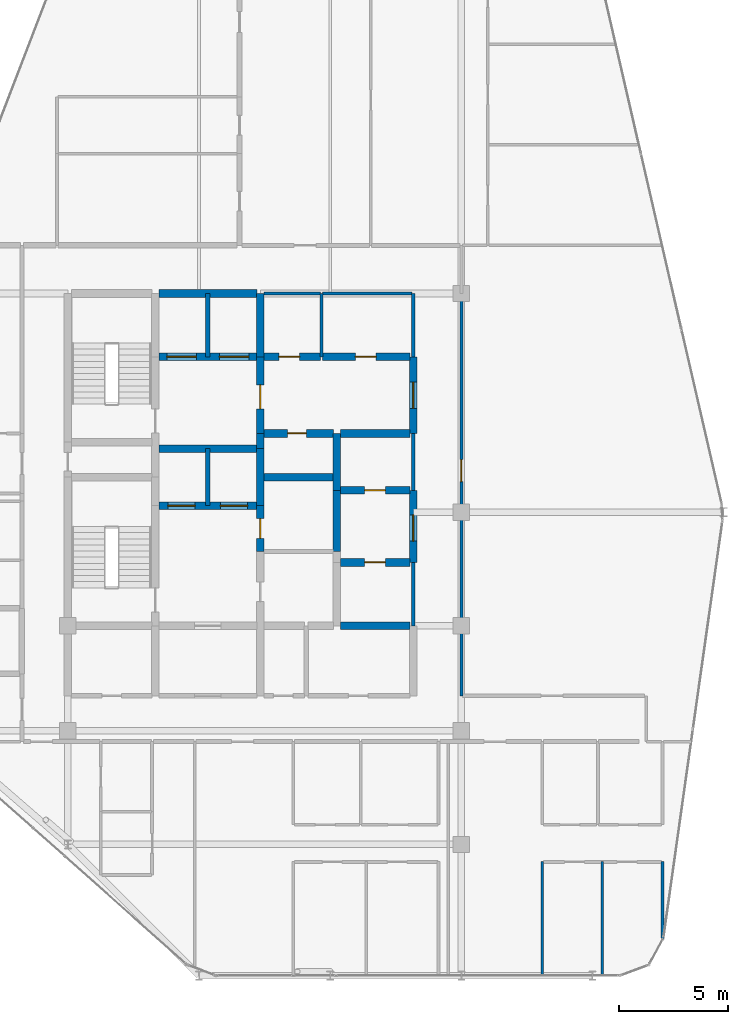
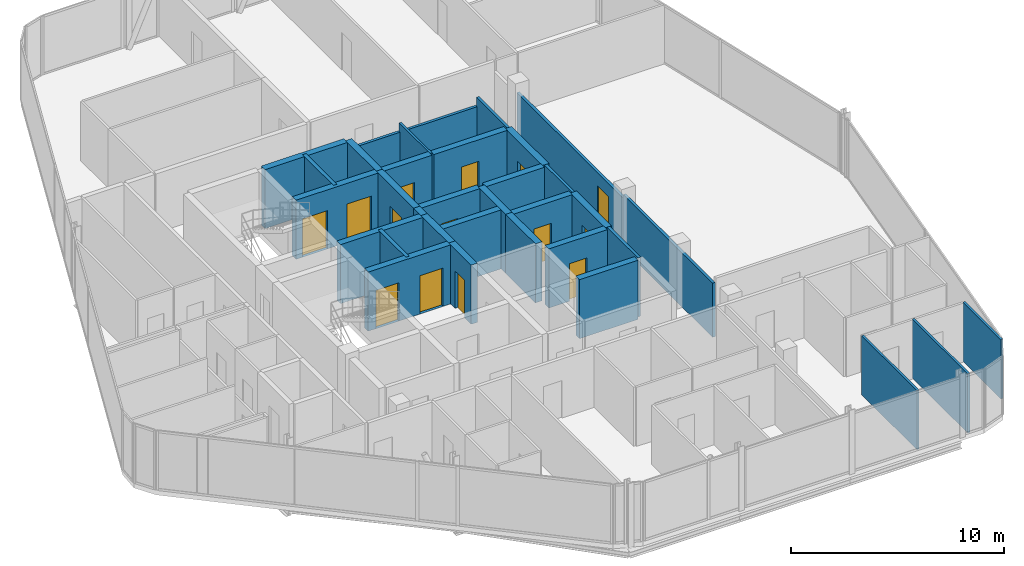
# One storey, part 24 of 27: 34 walls, 14 doors, 14 openings.
"""IFC4 building model written with IfcOpenShell, lengths in metres."""

import ifcopenshell
import ifcopenshell.guid

model = None  # the IFC model being written
_history = None  # IfcOwnerHistory: only IFC2X3 demands one
_inside = {}  # id of a spatial element -> (the spatial element, [elements in it])
_under = {}  # id of a project, library or spatial element -> (it, [spatial elements below it])
_declared = {}  # id of a project -> (the project, [libraries it declares])
_typed = {}  # id of a type object -> (the type object, [elements of that type])
_made_of = {}  # id of a material, layer set ... -> (it, [elements and type objects made of it])


def new_model(schema):
    """Start an empty IFC model of exactly this schema.

    Asked for "IFC4X3", IfcOpenShell would pick the latest addendum, in which some entities
    have other attributes; the version numbers below select the first issue.
    IFC2X3 requires an IfcOwnerHistory on every rooted entity: one is made here for all.
    """
    global model, _history
    if schema == "IFC4X3":
        model = ifcopenshell.file(schema_version=(4, 3, 0, 0))
    else:
        model = ifcopenshell.file(schema=schema)
    _inside.clear()
    _under.clear()
    _declared.clear()
    _typed.clear()
    _made_of.clear()
    _history = None
    if model.schema == "IFC2X3":
        org = make("IfcOrganization", Name="unknown")
        user = make(
            "IfcPersonAndOrganization",
            ThePerson=make("IfcPerson", FamilyName="unknown"),
            TheOrganization=org,
        )
        app = make(
            "IfcApplication",
            ApplicationDeveloper=org,
            Version="unknown",
            ApplicationFullName="unknown",
            ApplicationIdentifier="unknown",
        )
        _history = make(
            "IfcOwnerHistory",
            OwningUser=user,
            OwningApplication=app,
            ChangeAction="ADDED",
            CreationDate=0,
        )
    return model


def make(cls, **values):
    """One entity of the class cls with the attributes given. An attribute that is None is left unset."""
    return model.create_entity(
        cls, **{name: value for name, value in values.items() if value is not None}
    )


def rooted(cls, **values):
    """An entity with a GlobalId (a new one), such as an element, a storey or a relation."""
    return make(cls, GlobalId=ifcopenshell.guid.new(), OwnerHistory=_history, **values)


def si_unit(unit_type, name, prefix=None):
    """IfcSIUnit, for example si_unit("LENGTHUNIT", "METRE", prefix="MILLI")."""
    return make("IfcSIUnit", UnitType=unit_type, Prefix=prefix, Name=name)


def assignment(units):
    """IfcUnitAssignment: the units of a project."""
    return None if units is None else make("IfcUnitAssignment", Units=units)


def point(xyz):
    """IfcCartesianPoint."""
    return None if xyz is None else make("IfcCartesianPoint", Coordinates=xyz)


def direction(xyz):
    """IfcDirection."""
    return None if xyz is None else make("IfcDirection", DirectionRatios=xyz)


def frame(location, z_axis=None, x_axis=None):
    """IfcAxis2Placement3D, a coordinate frame: its origin and axes. An axis left out is left unset."""
    return make(
        "IfcAxis2Placement3D",
        Location=point(location),
        Axis=direction(z_axis),
        RefDirection=direction(x_axis),
    )


def frame_2d(location, x_axis=None):
    """IfcAxis2Placement2D, a coordinate frame in the plane: its origin and x axis."""
    return make(
        "IfcAxis2Placement2D", Location=point(location), RefDirection=direction(x_axis)
    )


def origin():
    """The frame at (0, 0, 0) with its axes left unset."""
    return frame((0.0, 0.0, 0.0))


def place(relative_to, where):
    """IfcLocalPlacement: puts the frame where relative to a parent placement (None: the world)."""
    return make(
        "IfcLocalPlacement", PlacementRelTo=relative_to, RelativePlacement=where
    )


def context(
    kind, dimensions, precision=None, world=None, true_north=None, identifier=None
):
    """IfcGeometricRepresentationContext, for example the 3D "Model" context."""
    return make(
        "IfcGeometricRepresentationContext",
        ContextIdentifier=identifier,
        ContextType=kind,
        CoordinateSpaceDimension=dimensions,
        Precision=precision,
        WorldCoordinateSystem=world,
        TrueNorth=true_north,
    )


def subcontext(parent, identifier, kind, view, scale=None):
    """IfcGeometricRepresentationSubContext, for example "Body" below "Model"."""
    return make(
        "IfcGeometricRepresentationSubContext",
        ContextIdentifier=identifier,
        ContextType=kind,
        ParentContext=parent,
        TargetScale=scale,
        TargetView=view,
    )


def project(units=None, contexts=None):
    """IfcProject with its units and contexts."""
    return rooted(
        "IfcProject",
        Name="project",
        RepresentationContexts=contexts,
        UnitsInContext=assignment(units),
    )


def spatial(cls, under=None, at=None, **own):
    """A site, building, storey or space (cls), placed at a placement, below another one or the project."""
    s = rooted(cls, ObjectPlacement=at, **own)
    if under is not None:
        _under.setdefault(under.id(), (under, []))[1].append(s)
    return s


def profile(cls, at=None, kind="AREA", **sizes):
    """A parametric profile (cls). Its sizes go by their IFC names, for example OverallWidth=200.0."""
    return make(cls, ProfileType=kind, Position=at, **sizes)


def rectangle(**sizes):
    """IfcRectangleProfileDef."""
    return profile("IfcRectangleProfileDef", **sizes)


def extrude(swept, where, along, depth):
    """IfcExtrudedAreaSolid: the profile swept, set in the frame where, extruded along a direction by depth."""
    return make(
        "IfcExtrudedAreaSolid",
        SweptArea=swept,
        Position=where,
        ExtrudedDirection=direction(along),
        Depth=depth,
    )


def shape(context_of_items, identifier, shape_type, items):
    """IfcShapeRepresentation: the items that make up one representation, for example the "Body"."""
    return make(
        "IfcShapeRepresentation",
        ContextOfItems=context_of_items,
        RepresentationIdentifier=identifier,
        RepresentationType=shape_type,
        Items=items,
    )


def material(Name=None, Category=None):
    """IfcMaterial."""
    return make("IfcMaterial", Name=Name, Category=Category)


def layer(
    of_material, thickness, ventilated=None, Name=None, Category=None, Priority=None
):
    """IfcMaterialLayer: one layer of a wall or slab, of a material (None: an air gap)."""
    return make(
        "IfcMaterialLayer",
        Material=of_material,
        LayerThickness=thickness,
        IsVentilated=ventilated,
        Name=Name,
        Category=Category,
        Priority=Priority,
    )


def layer_set(layers, Name=None):
    """IfcMaterialLayerSet."""
    return make("IfcMaterialLayerSet", MaterialLayers=layers, LayerSetName=Name)


def made_of(thing, what):
    """Note that an element or type object is made of a material, layer set ...; save() writes the relation."""
    if what is not None:
        _made_of.setdefault(what.id(), (what, []))[1].append(thing)
    return thing


def type_object(cls, material=None, **own):
    """A type object (cls), such as IfcWallType, which elements share."""
    return made_of(rooted(cls, **own), material)


def element(
    cls,
    number,
    at=None,
    inside=None,
    cuts=None,
    type_object=None,
    material=None,
    context=None,
    identifier="Body",
    shape_type=None,
    held_by="IfcProductDefinitionShape",
    body=None,
    shapes=None,
    **own,
):
    """One element of the class cls, such as IfcWall. Its Tag is "e" and its number.

    at: its placement. inside: the storey or other place that contains it. cuts: it is an
    opening in that element (IfcRelVoidsElement). A single representation is given by context,
    identifier, shape_type and body (its items); several are given by shapes. held_by: the class
    of the entity that holds the representations. save() writes the other relations.
    """
    e = rooted(cls, Tag="e%d" % number, ObjectPlacement=at, **own)
    if body is not None:
        shapes = [shape(context, identifier, shape_type, body)]
    if shapes is not None:
        e.Representation = make(held_by, Representations=shapes)
    if inside is not None:
        _inside.setdefault(inside.id(), (inside, []))[1].append(e)
    if cuts is not None:
        rooted(
            "IfcRelVoidsElement", RelatingBuildingElement=cuts, RelatedOpeningElement=e
        )
    if type_object is not None:
        _typed.setdefault(type_object.id(), (type_object, []))[1].append(e)
    return made_of(e, material)


def fill(opening, filler):
    """IfcRelFillsElement: the door or window that sits in an opening."""
    return rooted(
        "IfcRelFillsElement",
        RelatingOpeningElement=opening,
        RelatedBuildingElement=filler,
    )


def aggregate(whole, parts):
    """IfcRelAggregates: a whole, such as a stair, and the parts it consists of."""
    return rooted("IfcRelAggregates", RelatingObject=whole, RelatedObjects=parts)


def save(model, path):
    """Write the relations noted so far, then the file.

    IfcRelAggregates (storeys below a building ...), IfcRelContainedInSpatialStructure (elements
    in a storey), IfcRelDefinesByType, IfcRelAssociatesMaterial and IfcRelDeclares: one each for
    every whole, place, type object, material and project.
    """
    for whole, parts in _under.values():
        aggregate(whole, parts)
    for where, things in _inside.values():
        rooted(
            "IfcRelContainedInSpatialStructure",
            RelatedElements=things,
            RelatingStructure=where,
        )
    for kind, things in _typed.values():
        rooted("IfcRelDefinesByType", RelatedObjects=things, RelatingType=kind)
    for what, things in _made_of.values():
        rooted("IfcRelAssociatesMaterial", RelatedObjects=things, RelatingMaterial=what)
    for by, libraries in _declared.values():
        rooted("IfcRelDeclares", RelatingContext=by, RelatedDefinitions=libraries)
    model.write(path)


model = new_model("IFC4")

# Units and contexts
model_context = context("Model", 3, precision=1e-05, world=origin(), true_north=direction((0.0, 1.0)))
body_context = subcontext(model_context, "Body", "Model", "MODEL_VIEW")
ifc_project = project(units=[si_unit("LENGTHUNIT", "METRE"), si_unit("AREAUNIT", "SQUARE_METRE"), si_unit("VOLUMEUNIT", "CUBIC_METRE"), si_unit("PLANEANGLEUNIT", "RADIAN"), si_unit("MASSUNIT", "GRAM", prefix="KILO")], contexts=[model_context])

# Site, building, storey
site_placement = place(None, origin())
site = spatial("IfcSite", under=ifc_project, at=site_placement, CompositionType="ELEMENT")
building_placement = place(site_placement, origin())
building = spatial("IfcBuilding", under=site, at=building_placement, Name="Keshet Zoharim Tower", CompositionType="ELEMENT")
storey_placement = place(building_placement, frame((0.0, 0.0, 254.699951171875)))
storey = spatial("IfcBuildingStorey", under=building, at=storey_placement, Name="L63", CompositionType="ELEMENT", Elevation=254.699951171875)

# Walls
ifc_material_1 = material(Name="Gypsum Plasterboard", Category="gypsum")
ifc_layer_1 = layer(ifc_material_1, 0.14990234375)
ifc_layer_set_1 = layer_set([ifc_layer_1], Name="Gypsum Plasterboard")
wall_type_1 = type_object("IfcWallType", Name="WL-CLIN-150", PredefinedType="STANDARD", material=ifc_layer_set_1)
wall_1_placement = place(storey_placement, frame((30.800048828125, 22.699951171875, 0.0), z_axis=(0.0, 0.0, 1.0), x_axis=(0.0, 1.0, 0.0)))
element("IfcWall", 1, at=wall_1_placement, inside=storey, type_object=wall_type_1, Name="L63 Interior Wall 055", PredefinedType="STANDARD", context=body_context, shape_type="SweptSolid", body=[
    extrude(rectangle(XDim=2.900146484375, YDim=0.14990234375, at=frame_2d((1.4501953125, 0.0))), origin(), (0.0, 0.0, 1.0), 3.39013671875),
])
wall_2_placement = place(storey_placement, frame((30.800048828125, 28.89990234375, 0.0), z_axis=(0.0, 0.0, 1.0), x_axis=(0.0, 1.0, 0.0)))
element("IfcWall", 2, at=wall_2_placement, inside=storey, type_object=wall_type_1, Name="L63 Interior Wall 057", PredefinedType="STANDARD", context=body_context, shape_type="SweptSolid", body=[
    extrude(rectangle(XDim=2.60009765625, YDim=0.14990234375, at=frame_2d((1.300048828125, 0.0))), origin(), (0.0, 0.0, 1.0), 3.39013671875),
])
wall_3_placement = place(storey_placement, frame((30.800048828125, 35.0, 0.0), z_axis=(0.0, 0.0, 1.0), x_axis=(0.0, 1.0, 0.0)))
element("IfcWall", 3, at=wall_3_placement, inside=storey, type_object=wall_type_1, Name="L63 Interior Wall 059", PredefinedType="STANDARD", context=body_context, shape_type="SweptSolid", body=[
    extrude(rectangle(XDim=2.89990234375, YDim=0.14990234375, at=frame_2d((1.449951171875, 0.0))), origin(), (0.0, 0.0, 1.0), 3.39013671875),
])
wall_4_placement = place(storey_placement, frame((33.0, 19.5, 0.0), z_axis=(0.0, 0.0, 1.0), x_axis=(0.0, 1.0, 0.0)))
element("IfcWall", 4, at=wall_4_placement, inside=storey, type_object=wall_type_1, Name="L63 Interior Wall 063", PredefinedType="STANDARD", context=body_context, shape_type="SweptSolid", body=[
    extrude(rectangle(XDim=8.39990234375, YDim=0.14990234375, at=frame_2d((4.199951171875, 0.0))), origin(), (0.0, 0.0, 1.0), 3.10009765625),
])
wall_5_placement = place(storey_placement, frame((23.9599609375, 37.89990234375, 0.0), z_axis=(0.0, 0.0, 1.0), x_axis=(1.0, 0.0, 0.0)))
element("IfcWall", 5, at=wall_5_placement, inside=storey, type_object=wall_type_1, Name="L63 Interior Wall 130", PredefinedType="STANDARD", context=body_context, shape_type="SweptSolid", body=[
    extrude(rectangle(XDim=2.594970703125, YDim=0.14990234375, at=frame_2d((1.29736328125, 0.0))), origin(), (0.0, 0.0, 1.0), 2.89013671875),
])
wall_6_placement = place(storey_placement, frame((26.64501953125, 37.89990234375, 0.0), z_axis=(0.0, 0.0, 1.0), x_axis=(1.0, 0.0, 0.0)))
element("IfcWall", 6, at=wall_6_placement, inside=storey, type_object=wall_type_1, Name="L63 Interior Wall 131", PredefinedType="STANDARD", context=body_context, shape_type="SweptSolid", body=[
    extrude(rectangle(XDim=4.094970703125, YDim=0.14990234375, at=frame_2d((2.04736328125, 0.0))), origin(), (0.0, 0.0, 1.0), 2.89013671875),
])

# Wall, opening, door
wall_7_placement = place(storey_placement, frame((33.0, 27.89990234375, 0.0), z_axis=(0.0, 0.0, 1.0), x_axis=(0.0, 1.0, 0.0)))
wall_7 = element("IfcWall", 7, at=wall_7_placement, inside=storey, type_object=wall_type_1, Name="L63 Interior Wall 063 Part 2", PredefinedType="STANDARD", context=body_context, shape_type="SweptSolid", body=[
    extrude(rectangle(XDim=10.0, YDim=0.14990234375, at=frame_2d((5.0, 0.0))), origin(), (0.0, 0.0, 1.0), 2.89013671875),
])
opening_1_placement = place(wall_7_placement, frame((1.39990234375, 0.0, 0.0)))
opening_1 = element("IfcOpeningElement", 8, at=opening_1_placement, cuts=wall_7, Name="Opening D-F310", PredefinedType="OPENING", context=body_context, shape_type="SweptSolid", body=[
    extrude(rectangle(XDim=1.0, YDim=2.14990234375, at=frame_2d((0.5, 1.074951171875))), frame((0.0, 0.0849609375, 0.0), z_axis=(0.0, -1.0, 0.0), x_axis=(1.0, 0.0, 0.0)), (0.0, 0.0, 1.0), 0.169921875),
])
ifc_material_2 = material(Name="Hardwood Timber", Category="wood")
door_type_1 = type_object("IfcDoorType", Name="DR-FD30-100", OperationType="NOTDEFINED", PredefinedType="DOOR", material=ifc_material_2)
door_1_placement = place(opening_1_placement, origin())
door_1 = element("IfcDoor", 9, at=door_1_placement, inside=storey, type_object=door_type_1, Name="L63 North West Residents Services Suite Door 1", OperationType="SINGLE_SWING_LEFT", OverallHeight=2.14990234375, OverallWidth=1.0, PredefinedType="DOOR", context=body_context, shape_type="SweptSolid", body=[
    extrude(rectangle(XDim=1.0, YDim=2.14990234375, at=frame_2d((0.5, 1.074951171875))), frame((0.0, 0.02490234375, 0.0), z_axis=(0.0, -1.0, 0.0), x_axis=(1.0, 0.0, 0.0)), (0.0, 0.0, 1.0), 0.050048828125),
])
fill(opening_1, door_1)

ifc_material_3 = material(Name="Concrete C60/75", Category="concrete")
ifc_layer_2 = layer(ifc_material_3, 0.35009765625)
ifc_layer_set_2 = layer_set([ifc_layer_2], Name="Concrete C60/75")
wall_type_2 = type_object("IfcWallType", Name="WL-CORE-350", PredefinedType="SHEAR", material=ifc_layer_set_2)
wall_8_placement = place(storey_placement, frame((23.800048828125, 26.10009765625, 0.0), z_axis=(0.0, 0.0, 1.0), x_axis=(0.0, 1.0, 0.0)))
wall_8 = element("IfcWall", 10, at=wall_8_placement, inside=storey, type_object=wall_type_2, Name="L63 Core Shear Wall 038", PredefinedType="SHEAR", context=body_context, shape_type="SweptSolid", body=[
    extrude(rectangle(XDim=2.099853515625, YDim=0.35009765625, at=frame_2d((1.0498046875, 0.0))), origin(), (0.0, 0.0, 1.0), 3.39013671875),
])
opening_2_placement = place(wall_8_placement, frame((0.60009765625, 0.0, 0.0)))
opening_2 = element("IfcOpeningElement", 11, at=opening_2_placement, cuts=wall_8, Name="Opening D-F690", PredefinedType="OPENING", context=body_context, shape_type="SweptSolid", body=[
    extrude(rectangle(XDim=0.89990234375, YDim=2.14990234375, at=frame_2d((0.449951171875, 1.074951171875))), frame((0.0, 0.18505859375, 0.0), z_axis=(0.0, -1.0, 0.0), x_axis=(1.0, 0.0, 0.0)), (0.0, 0.0, 1.0), 0.3701171875),
])
door_type_2 = type_object("IfcDoorType", Name="DR-FD60-090", OperationType="NOTDEFINED", PredefinedType="DOOR", material=ifc_material_2)
door_2_placement = place(opening_2_placement, origin())
door_2 = element("IfcDoor", 12, at=door_2_placement, inside=storey, type_object=door_type_2, Name="L63 Core Electrical Room Door", OperationType="SINGLE_SWING_RIGHT", OverallHeight=2.14990234375, OverallWidth=0.89990234375, PredefinedType="DOOR", context=body_context, shape_type="SweptSolid", body=[
    extrude(rectangle(XDim=0.89990234375, YDim=2.14990234375, at=frame_2d((0.449951171875, 1.074951171875))), frame((0.0, 0.02490234375, 0.0), z_axis=(0.0, -1.0, 0.0), x_axis=(1.0, 0.0, 0.0)), (0.0, 0.0, 1.0), 0.050048828125),
])
fill(opening_2, door_2)

# Walls
wall_9_placement = place(storey_placement, frame((23.800048828125, 28.199951171875, 0.0), z_axis=(0.0, 0.0, 1.0), x_axis=(0.0, 1.0, 0.0)))
element("IfcWall", 13, at=wall_9_placement, inside=storey, type_object=wall_type_2, Name="L63 Core Shear Wall 039", PredefinedType="SHEAR", context=body_context, shape_type="SweptSolid", body=[
    extrude(rectangle(XDim=2.60009765625, YDim=0.35009765625, at=frame_2d((1.300048828125, 0.0))), origin(), (0.0, 0.0, 1.0), 3.39013671875),
])
wall_10_placement = place(storey_placement, frame((23.800048828125, 30.800048828125, 0.0), z_axis=(0.0, 0.0, 1.0), x_axis=(0.0, 1.0, 0.0)))
element("IfcWall", 14, at=wall_10_placement, inside=storey, type_object=wall_type_2, Name="L63 Core Shear Wall 040", PredefinedType="SHEAR", context=body_context, shape_type="SweptSolid", body=[
    extrude(rectangle(XDim=0.699951171875, YDim=0.35009765625, at=frame_2d((0.35009765625, 0.0))), origin(), (0.0, 0.0, 1.0), 3.39013671875),
])

# Wall, opening, door
wall_11_placement = place(storey_placement, frame((23.800048828125, 31.5, 0.0), z_axis=(0.0, 0.0, 1.0), x_axis=(0.0, 1.0, 0.0)))
wall_11 = element("IfcWall", 15, at=wall_11_placement, inside=storey, type_object=wall_type_2, Name="L63 Core Shear Wall 041", PredefinedType="SHEAR", context=body_context, shape_type="SweptSolid", body=[
    extrude(rectangle(XDim=3.5, YDim=0.35009765625, at=frame_2d((1.75, 0.0))), origin(), (0.0, 0.0, 1.0), 3.39013671875),
])
opening_3_placement = place(wall_11_placement, frame((1.126953125, 0.0, 0.0)))
opening_3 = element("IfcOpeningElement", 16, at=opening_3_placement, cuts=wall_11, Name="Opening D-F611", PredefinedType="OPENING", context=body_context, shape_type="SweptSolid", body=[
    extrude(rectangle(XDim=1.10009765625, YDim=2.14990234375, at=frame_2d((0.550048828125, 1.074951171875))), frame((0.0, 0.18505859375, 0.0), z_axis=(0.0, -1.0, 0.0), x_axis=(1.0, 0.0, 0.0)), (0.0, 0.0, 1.0), 0.3701171875),
])
door_type_3 = type_object("IfcDoorType", Name="DR-FD60-110", OperationType="NOTDEFINED", PredefinedType="DOOR", material=ifc_material_2)
door_3_placement = place(opening_3_placement, origin())
door_3 = element("IfcDoor", 17, at=door_3_placement, inside=storey, type_object=door_type_3, Name="L63 Firefighting Lobby Fire Door", OperationType="SINGLE_SWING_LEFT", OverallHeight=2.14990234375, OverallWidth=1.10009765625, PredefinedType="DOOR", context=body_context, shape_type="SweptSolid", body=[
    extrude(rectangle(XDim=1.10009765625, YDim=2.14990234375, at=frame_2d((0.550048828125, 1.074951171875))), frame((0.0, 0.02490234375, 0.0), z_axis=(0.0, -1.0, 0.0), x_axis=(1.0, 0.0, 0.0)), (0.0, 0.0, 1.0), 0.050048828125),
])
fill(opening_3, door_3)

# Walls
wall_12_placement = place(storey_placement, frame((23.800048828125, 35.0, 0.0), z_axis=(0.0, 0.0, 1.0), x_axis=(0.0, 1.0, 0.0)))
element("IfcWall", 18, at=wall_12_placement, inside=storey, type_object=wall_type_2, Name="L63 Core Shear Wall 042", PredefinedType="SHEAR", context=body_context, shape_type="SweptSolid", body=[
    extrude(rectangle(XDim=2.89990234375, YDim=0.35009765625, at=frame_2d((1.449951171875, 0.0))), origin(), (0.0, 0.0, 1.0), 3.39013671875),
])
wall_13_placement = place(storey_placement, frame((27.300048828125, 26.10009765625, 0.0), z_axis=(0.0, 0.0, 1.0), x_axis=(0.0, 1.0, 0.0)))
element("IfcWall", 19, at=wall_13_placement, inside=storey, type_object=wall_type_2, Name="L63 Core Shear Wall 049", PredefinedType="SHEAR", context=body_context, shape_type="SweptSolid", body=[
    extrude(rectangle(XDim=2.7998046875, YDim=0.35009765625, at=frame_2d((1.39990234375, 0.0))), origin(), (0.0, 0.0, 1.0), 3.39013671875),
])
wall_14_placement = place(storey_placement, frame((27.300048828125, 28.89990234375, 0.0), z_axis=(0.0, 0.0, 1.0), x_axis=(0.0, 1.0, 0.0)))
element("IfcWall", 20, at=wall_14_placement, inside=storey, type_object=wall_type_2, Name="L63 Core Shear Wall 050", PredefinedType="SHEAR", context=body_context, shape_type="SweptSolid", body=[
    extrude(rectangle(XDim=2.60009765625, YDim=0.35009765625, at=frame_2d((1.300048828125, 0.0))), origin(), (0.0, 0.0, 1.0), 3.39013671875),
])

# Wall, opening, door
wall_15_placement = place(storey_placement, frame((30.800048828125, 25.60009765625, 0.0), z_axis=(0.0, 0.0, 1.0), x_axis=(0.0, 1.0, 0.0)))
wall_15 = element("IfcWall", 21, at=wall_15_placement, inside=storey, type_object=wall_type_2, Name="L63 Core Shear Wall 056", PredefinedType="SHEAR", context=body_context, shape_type="SweptSolid", body=[
    extrude(rectangle(XDim=3.2998046875, YDim=0.35009765625, at=frame_2d((1.64990234375, 0.0))), origin(), (0.0, 0.0, 1.0), 3.39013671875),
])
opening_4_placement = place(wall_15_placement, frame((0.97802734375, 0.0, 0.0)))
opening_4 = element("IfcOpeningElement", 22, at=opening_4_placement, cuts=wall_15, Name="Opening D-F612", PredefinedType="OPENING", context=body_context, shape_type="SweptSolid", body=[
    extrude(rectangle(XDim=1.199951171875, YDim=2.199951171875, at=frame_2d((0.60009765625, 1.10009765625))), frame((0.0, 0.18505859375, 0.0), z_axis=(0.0, -1.0, 0.0), x_axis=(1.0, 0.0, 0.0)), (0.0, 0.0, 1.0), 0.3701171875),
])
door_type_4 = type_object("IfcDoorType", Name="DR-FD60-120", OperationType="NOTDEFINED", PredefinedType="DOOR", material=ifc_material_2)
door_4_placement = place(opening_4_placement, origin())
door_4 = element("IfcDoor", 23, at=door_4_placement, inside=storey, type_object=door_type_4, Name="L63 East Lift Lobby Fire Door", OperationType="SINGLE_SWING_LEFT", OverallHeight=2.199951171875, OverallWidth=1.199951171875, PredefinedType="DOOR", context=body_context, shape_type="SweptSolid", body=[
    extrude(rectangle(XDim=1.199951171875, YDim=2.199951171875, at=frame_2d((0.60009765625, 1.10009765625))), frame((0.0, 0.02490234375, 0.0), z_axis=(0.0, -1.0, 0.0), x_axis=(1.0, 0.0, 0.0)), (0.0, 0.0, 1.0), 0.050048828125),
])
fill(opening_4, door_4)

wall_16_placement = place(storey_placement, frame((30.800048828125, 31.5, 0.0), z_axis=(0.0, 0.0, 1.0), x_axis=(0.0, 1.0, 0.0)))
wall_16 = element("IfcWall", 24, at=wall_16_placement, inside=storey, type_object=wall_type_2, Name="L63 Core Shear Wall 058", PredefinedType="SHEAR", context=body_context, shape_type="SweptSolid", body=[
    extrude(rectangle(XDim=3.5, YDim=0.35009765625, at=frame_2d((1.75, 0.0))), origin(), (0.0, 0.0, 1.0), 3.39013671875),
])
opening_5_placement = place(wall_16_placement, frame((1.14990234375, 0.0, 0.0)))
opening_5 = element("IfcOpeningElement", 25, at=opening_5_placement, cuts=wall_16, Name="Opening D-F612", PredefinedType="OPENING", context=body_context, shape_type="SweptSolid", body=[
    extrude(rectangle(XDim=1.199951171875, YDim=2.199951171875, at=frame_2d((0.60009765625, 1.10009765625))), frame((0.0, 0.18505859375, 0.0), z_axis=(0.0, -1.0, 0.0), x_axis=(1.0, 0.0, 0.0)), (0.0, 0.0, 1.0), 0.3701171875),
])
door_5_placement = place(opening_5_placement, origin())
door_5 = element("IfcDoor", 26, at=door_5_placement, inside=storey, type_object=door_type_4, Name="L63 North Lift Lobby East Fire Door", OperationType="SINGLE_SWING_RIGHT", OverallHeight=2.199951171875, OverallWidth=1.199951171875, PredefinedType="DOOR", context=body_context, shape_type="SweptSolid", body=[
    extrude(rectangle(XDim=1.199951171875, YDim=2.199951171875, at=frame_2d((0.60009765625, 1.10009765625))), frame((0.0, 0.02490234375, 0.0), z_axis=(0.0, -1.0, 0.0), x_axis=(1.0, 0.0, 0.0)), (0.0, 0.0, 1.0), 0.050048828125),
])
fill(opening_5, door_5)

# Wall
wall_17_placement = place(storey_placement, frame((27.4599609375, 22.699951171875, 0.0), z_axis=(0.0, 0.0, 1.0), x_axis=(1.0, 0.0, 0.0)))
element("IfcWall", 27, at=wall_17_placement, inside=storey, type_object=wall_type_2, Name="L63 Core Shear Wall 104", PredefinedType="SHEAR", context=body_context, shape_type="SweptSolid", body=[
    extrude(rectangle(XDim=3.179931640625, YDim=0.35009765625, at=frame_2d((1.58984375, 0.0))), origin(), (0.0, 0.0, 1.0), 3.39013671875),
])

# Wall, opening, door
wall_18_placement = place(storey_placement, frame((27.4599609375, 25.60009765625, 0.0), z_axis=(0.0, 0.0, 1.0), x_axis=(1.0, 0.0, 0.0)))
wall_18 = element("IfcWall", 28, at=wall_18_placement, inside=storey, type_object=wall_type_2, Name="L63 Core Shear Wall 107", PredefinedType="SHEAR", context=body_context, shape_type="SweptSolid", body=[
    extrude(rectangle(XDim=3.179931640625, YDim=0.35009765625, at=frame_2d((1.58984375, 0.0))), origin(), (0.0, 0.0, 1.0), 3.39013671875),
])
opening_6_placement = place(wall_18_placement, frame((1.114990234375, 0.0, 0.0)))
opening_6 = element("IfcOpeningElement", 29, at=opening_6_placement, cuts=wall_18, Name="Opening D-F695", PredefinedType="OPENING", context=body_context, shape_type="SweptSolid", body=[
    extrude(rectangle(XDim=0.949951171875, YDim=2.14990234375, at=frame_2d((0.47509765625, 1.074951171875))), frame((0.0, 0.18505859375, 0.0), z_axis=(0.0, -1.0, 0.0), x_axis=(1.0, 0.0, 0.0)), (0.0, 0.0, 1.0), 0.3701171875),
])
door_type_5 = type_object("IfcDoorType", Name="DR-FD60-095", OperationType="NOTDEFINED", PredefinedType="DOOR", material=ifc_material_2)
door_6_placement = place(opening_6_placement, origin())
door_6 = element("IfcDoor", 30, at=door_6_placement, inside=storey, type_object=door_type_5, Name="L63 Study Alcove Door", OperationType="SINGLE_SWING_RIGHT", OverallHeight=2.14990234375, OverallWidth=0.949951171875, PredefinedType="DOOR", context=body_context, shape_type="SweptSolid", body=[
    extrude(rectangle(XDim=0.949951171875, YDim=2.14990234375, at=frame_2d((0.47509765625, 1.074951171875))), frame((0.0, 0.02490234375, 0.0), z_axis=(0.0, -1.0, 0.0), x_axis=(1.0, 0.0, 0.0)), (0.0, 0.0, 1.0), 0.050048828125),
])
fill(opening_6, door_6)

# Wall, openings, doors
wall_19_placement = place(storey_placement, frame((19.159912109375, 28.199951171875, 0.0), z_axis=(0.0, 0.0, 1.0), x_axis=(1.0, 0.0, 0.0)))
wall_19 = element("IfcWall", 31, at=wall_19_placement, inside=storey, type_object=wall_type_2, Name="L63 Core Shear Wall 111", PredefinedType="SHEAR", context=body_context, shape_type="SweptSolid", body=[
    extrude(rectangle(XDim=4.47998046875, YDim=0.35009765625, at=frame_2d((2.239990234375, 0.0))), origin(), (0.0, 0.0, 1.0), 3.39013671875),
])
opening_7_placement = place(wall_19_placement, frame((0.4150390625, 0.0, 0.0)))
opening_7 = element("IfcOpeningElement", 32, at=opening_7_placement, cuts=wall_19, Name="Opening LD-01", PredefinedType="OPENING", context=body_context, shape_type="SweptSolid", body=[
    extrude(rectangle(XDim=1.25, YDim=2.199951171875, at=frame_2d((0.625, 1.10009765625))), frame((0.0, 0.18505859375, 0.0), z_axis=(0.0, -1.0, 0.0), x_axis=(1.0, 0.0, 0.0)), (0.0, 0.0, 1.0), 0.3701171875),
])
opening_8_placement = place(wall_19_placement, frame((2.81494140625, 0.0, 0.0)))
opening_8 = element("IfcOpeningElement", 33, at=opening_8_placement, cuts=wall_19, Name="Opening LD-01", PredefinedType="OPENING", context=body_context, shape_type="SweptSolid", body=[
    extrude(rectangle(XDim=1.25, YDim=2.199951171875, at=frame_2d((0.625, 1.10009765625))), frame((0.0, 0.18505859375, 0.0), z_axis=(0.0, -1.0, 0.0), x_axis=(1.0, 0.0, 0.0)), (0.0, 0.0, 1.0), 0.3701171875),
])
ifc_material_4 = material(Name="Steel S355", Category="steel")
door_type_6 = type_object("IfcDoorType", Name="DR-LD01-125", OperationType="DOUBLE_DOOR_SLIDING", PredefinedType="DOOR", material=ifc_material_4)
door_7_placement = place(opening_7_placement, origin())
door_7 = element("IfcDoor", 34, at=door_7_placement, inside=storey, type_object=door_type_6, Name="L63 Passenger Lift Landing Door LF-09", OperationType="DOUBLE_DOOR_SLIDING", OverallHeight=2.199951171875, OverallWidth=1.25, PredefinedType="DOOR", context=body_context, shape_type="SweptSolid", body=[
    extrude(rectangle(XDim=1.25, YDim=2.199951171875, at=frame_2d((0.625, 1.10009765625))), frame((0.0, 0.02490234375, 0.0), z_axis=(0.0, -1.0, 0.0), x_axis=(1.0, 0.0, 0.0)), (0.0, 0.0, 1.0), 0.050048828125),
])
fill(opening_7, door_7)
door_8_placement = place(opening_8_placement, origin())
door_8 = element("IfcDoor", 35, at=door_8_placement, inside=storey, type_object=door_type_6, Name="L63 Passenger Lift Landing Door LF-10", OperationType="DOUBLE_DOOR_SLIDING", OverallHeight=2.199951171875, OverallWidth=1.25, PredefinedType="DOOR", context=body_context, shape_type="SweptSolid", body=[
    extrude(rectangle(XDim=1.25, YDim=2.199951171875, at=frame_2d((0.625, 1.10009765625))), frame((0.0, 0.02490234375, 0.0), z_axis=(0.0, -1.0, 0.0), x_axis=(1.0, 0.0, 0.0)), (0.0, 0.0, 1.0), 0.050048828125),
])
fill(opening_8, door_8)

# Wall, opening, door
wall_20_placement = place(storey_placement, frame((27.4599609375, 28.89990234375, 0.0), z_axis=(0.0, 0.0, 1.0), x_axis=(1.0, 0.0, 0.0)))
wall_20 = element("IfcWall", 36, at=wall_20_placement, inside=storey, type_object=wall_type_2, Name="L63 Core Shear Wall 116", PredefinedType="SHEAR", context=body_context, shape_type="SweptSolid", body=[
    extrude(rectangle(XDim=3.179931640625, YDim=0.35009765625, at=frame_2d((1.58984375, 0.0))), origin(), (0.0, 0.0, 1.0), 3.39013671875),
])
opening_9_placement = place(wall_20_placement, frame((1.114990234375, 0.0, 0.0)))
opening_9 = element("IfcOpeningElement", 37, at=opening_9_placement, cuts=wall_20, Name="Opening D-F695", PredefinedType="OPENING", context=body_context, shape_type="SweptSolid", body=[
    extrude(rectangle(XDim=0.949951171875, YDim=2.14990234375, at=frame_2d((0.47509765625, 1.074951171875))), frame((0.0, 0.18505859375, 0.0), z_axis=(0.0, -1.0, 0.0), x_axis=(1.0, 0.0, 0.0)), (0.0, 0.0, 1.0), 0.3701171875),
])
door_9_placement = place(opening_9_placement, frame((0.949951171875, 0.0, 0.0), z_axis=(0.0, 0.0, 1.0), x_axis=(-1.0, 0.0, 0.0)))
door_9 = element("IfcDoor", 38, at=door_9_placement, inside=storey, type_object=door_type_5, Name="L63 Parcel Store Door", OperationType="SINGLE_SWING_LEFT", OverallHeight=2.14990234375, OverallWidth=0.949951171875, PredefinedType="DOOR", context=body_context, shape_type="SweptSolid", body=[
    extrude(rectangle(XDim=0.949951171875, YDim=2.14990234375, at=frame_2d((0.47509765625, 1.074951171875))), frame((0.0, 0.02490234375, 0.0), z_axis=(0.0, -1.0, 0.0), x_axis=(1.0, 0.0, 0.0)), (0.0, 0.0, 1.0), 0.050048828125),
])
fill(opening_9, door_9)

# Walls
wall_21_placement = place(storey_placement, frame((23.9599609375, 29.5, 0.0), z_axis=(0.0, 0.0, 1.0), x_axis=(1.0, 0.0, 0.0)))
element("IfcWall", 39, at=wall_21_placement, inside=storey, type_object=wall_type_2, Name="L63 Core Shear Wall 118", PredefinedType="SHEAR", context=body_context, shape_type="SweptSolid", body=[
    extrude(rectangle(XDim=3.179931640625, YDim=0.35009765625, at=frame_2d((1.58984375, 0.0))), origin(), (0.0, 0.0, 1.0), 3.39013671875),
])
wall_22_placement = place(storey_placement, frame((19.159912109375, 30.800048828125, 0.0), z_axis=(0.0, 0.0, 1.0), x_axis=(1.0, 0.0, 0.0)))
element("IfcWall", 40, at=wall_22_placement, inside=storey, type_object=wall_type_2, Name="L63 Core Shear Wall 119", PredefinedType="SHEAR", context=body_context, shape_type="SweptSolid", body=[
    extrude(rectangle(XDim=4.47998046875, YDim=0.35009765625, at=frame_2d((2.239990234375, 0.0))), origin(), (0.0, 0.0, 1.0), 3.39013671875),
])

# Wall, opening, door
wall_23_placement = place(storey_placement, frame((23.9599609375, 31.5, 0.0), z_axis=(0.0, 0.0, 1.0), x_axis=(1.0, 0.0, 0.0)))
wall_23 = element("IfcWall", 41, at=wall_23_placement, inside=storey, type_object=wall_type_2, Name="L63 Core Shear Wall 123", PredefinedType="SHEAR", context=body_context, shape_type="SweptSolid", body=[
    extrude(rectangle(XDim=3.179931640625, YDim=0.35009765625, at=frame_2d((1.58984375, 0.0))), origin(), (0.0, 0.0, 1.0), 3.39013671875),
])
opening_10_placement = place(wall_23_placement, frame((1.093994140625, 0.0, 0.0)))
opening_10 = element("IfcOpeningElement", 42, at=opening_10_placement, cuts=wall_23, Name="Opening D-RS85", PredefinedType="OPENING", context=body_context, shape_type="SweptSolid", body=[
    extrude(rectangle(XDim=0.85009765625, YDim=2.10009765625, at=frame_2d((0.425048828125, 1.050048828125))), frame((0.0, 0.18505859375, 0.0), z_axis=(0.0, -1.0, 0.0), x_axis=(1.0, 0.0, 0.0)), (0.0, 0.0, 1.0), 0.3701171875),
])
door_type_7 = type_object("IfcDoorType", Name="DR-RIS-085", OperationType="NOTDEFINED", PredefinedType="DOOR", material=ifc_material_2)
door_10_placement = place(opening_10_placement, origin())
door_10 = element("IfcDoor", 43, at=door_10_placement, inside=storey, type_object=door_type_7, Name="L63 Telecom Riser Access Cupboard Door", OperationType="SINGLE_SWING_RIGHT", OverallHeight=2.10009765625, OverallWidth=0.85009765625, PredefinedType="DOOR", context=body_context, shape_type="SweptSolid", body=[
    extrude(rectangle(XDim=0.85009765625, YDim=2.10009765625, at=frame_2d((0.425048828125, 1.050048828125))), frame((0.0, 0.02490234375, 0.0), z_axis=(0.0, -1.0, 0.0), x_axis=(1.0, 0.0, 0.0)), (0.0, 0.0, 1.0), 0.050048828125),
])
fill(opening_10, door_10)

# Wall
wall_24_placement = place(storey_placement, frame((27.4599609375, 31.5, 0.0), z_axis=(0.0, 0.0, 1.0), x_axis=(1.0, 0.0, 0.0)))
element("IfcWall", 44, at=wall_24_placement, inside=storey, type_object=wall_type_2, Name="L63 Core Shear Wall 124", PredefinedType="SHEAR", context=body_context, shape_type="SweptSolid", body=[
    extrude(rectangle(XDim=3.179931640625, YDim=0.35009765625, at=frame_2d((1.58984375, 0.0))), origin(), (0.0, 0.0, 1.0), 3.39013671875),
])

# Wall, openings, doors
wall_25_placement = place(storey_placement, frame((19.159912109375, 35.0, 0.0), z_axis=(0.0, 0.0, 1.0), x_axis=(1.0, 0.0, 0.0)))
wall_25 = element("IfcWall", 45, at=wall_25_placement, inside=storey, type_object=wall_type_2, Name="L63 Core Shear Wall 125", PredefinedType="SHEAR", context=body_context, shape_type="SweptSolid", body=[
    extrude(rectangle(XDim=4.47998046875, YDim=0.35009765625, at=frame_2d((2.239990234375, 0.0))), origin(), (0.0, 0.0, 1.0), 3.39013671875),
])
opening_11_placement = place(wall_25_placement, frame((0.364990234375, 0.0, 0.0)))
opening_11 = element("IfcOpeningElement", 46, at=opening_11_placement, cuts=wall_25, Name="Opening LD-02", PredefinedType="OPENING", context=body_context, shape_type="SweptSolid", body=[
    extrude(rectangle(XDim=1.35009765625, YDim=2.199951171875, at=frame_2d((0.675048828125, 1.10009765625))), frame((0.0, 0.18505859375, 0.0), z_axis=(0.0, -1.0, 0.0), x_axis=(1.0, 0.0, 0.0)), (0.0, 0.0, 1.0), 0.3701171875),
])
opening_12_placement = place(wall_25_placement, frame((2.764892578125, 0.0, 0.0)))
opening_12 = element("IfcOpeningElement", 47, at=opening_12_placement, cuts=wall_25, Name="Opening LD-02", PredefinedType="OPENING", context=body_context, shape_type="SweptSolid", body=[
    extrude(rectangle(XDim=1.35009765625, YDim=2.199951171875, at=frame_2d((0.675048828125, 1.10009765625))), frame((0.0, 0.18505859375, 0.0), z_axis=(0.0, -1.0, 0.0), x_axis=(1.0, 0.0, 0.0)), (0.0, 0.0, 1.0), 0.3701171875),
])
door_type_8 = type_object("IfcDoorType", Name="DR-LD02-135", OperationType="DOUBLE_DOOR_SLIDING", PredefinedType="DOOR", material=ifc_material_4)
door_11_placement = place(opening_11_placement, origin())
door_11 = element("IfcDoor", 48, at=door_11_placement, inside=storey, type_object=door_type_8, Name="L63 Firefighting Lift Landing Door FF-01", OperationType="DOUBLE_DOOR_SLIDING", OverallHeight=2.199951171875, OverallWidth=1.35009765625, PredefinedType="DOOR", context=body_context, shape_type="SweptSolid", body=[
    extrude(rectangle(XDim=1.35009765625, YDim=2.199951171875, at=frame_2d((0.675048828125, 1.10009765625))), frame((0.0, 0.02490234375, 0.0), z_axis=(0.0, -1.0, 0.0), x_axis=(1.0, 0.0, 0.0)), (0.0, 0.0, 1.0), 0.050048828125),
])
fill(opening_11, door_11)
door_12_placement = place(opening_12_placement, origin())
door_12 = element("IfcDoor", 49, at=door_12_placement, inside=storey, type_object=door_type_8, Name="L63 Firefighting Lift Landing Door FF-02", OperationType="DOUBLE_DOOR_SLIDING", OverallHeight=2.199951171875, OverallWidth=1.35009765625, PredefinedType="DOOR", context=body_context, shape_type="SweptSolid", body=[
    extrude(rectangle(XDim=1.35009765625, YDim=2.199951171875, at=frame_2d((0.675048828125, 1.10009765625))), frame((0.0, 0.02490234375, 0.0), z_axis=(0.0, -1.0, 0.0), x_axis=(1.0, 0.0, 0.0)), (0.0, 0.0, 1.0), 0.050048828125),
])
fill(opening_12, door_12)

# Wall, opening, door
wall_26_placement = place(storey_placement, frame((23.9599609375, 35.0, 0.0), z_axis=(0.0, 0.0, 1.0), x_axis=(1.0, 0.0, 0.0)))
wall_26 = element("IfcWall", 50, at=wall_26_placement, inside=storey, type_object=wall_type_2, Name="L63 Core Shear Wall 126", PredefinedType="SHEAR", context=body_context, shape_type="SweptSolid", body=[
    extrude(rectangle(XDim=2.594970703125, YDim=0.35009765625, at=frame_2d((1.29736328125, 0.0))), origin(), (0.0, 0.0, 1.0), 3.39013671875),
])
opening_13_placement = place(wall_26_placement, frame((0.69091796875, 0.0, 0.0)))
opening_13 = element("IfcOpeningElement", 51, at=opening_13_placement, cuts=wall_26, Name="Opening D-F695", PredefinedType="OPENING", context=body_context, shape_type="SweptSolid", body=[
    extrude(rectangle(XDim=0.949951171875, YDim=2.14990234375, at=frame_2d((0.47509765625, 1.074951171875))), frame((0.0, 0.18505859375, 0.0), z_axis=(0.0, -1.0, 0.0), x_axis=(1.0, 0.0, 0.0)), (0.0, 0.0, 1.0), 0.3701171875),
])
door_13_placement = place(opening_13_placement, frame((0.949951171875, 0.0, 0.0), z_axis=(0.0, 0.0, 1.0), x_axis=(-1.0, 0.0, 0.0)))
door_13 = element("IfcDoor", 52, at=door_13_placement, inside=storey, type_object=door_type_5, Name="L63 Laundry Room Door", OperationType="SINGLE_SWING_LEFT", OverallHeight=2.14990234375, OverallWidth=0.949951171875, PredefinedType="DOOR", context=body_context, shape_type="SweptSolid", body=[
    extrude(rectangle(XDim=0.949951171875, YDim=2.14990234375, at=frame_2d((0.47509765625, 1.074951171875))), frame((0.0, 0.02490234375, 0.0), z_axis=(0.0, -1.0, 0.0), x_axis=(1.0, 0.0, 0.0)), (0.0, 0.0, 1.0), 0.050048828125),
])
fill(opening_13, door_13)

wall_27_placement = place(storey_placement, frame((26.64501953125, 35.0, 0.0), z_axis=(0.0, 0.0, 1.0), x_axis=(1.0, 0.0, 0.0)))
wall_27 = element("IfcWall", 53, at=wall_27_placement, inside=storey, type_object=wall_type_2, Name="L63 Core Shear Wall 127", PredefinedType="SHEAR", context=body_context, shape_type="SweptSolid", body=[
    extrude(rectangle(XDim=3.994873046875, YDim=0.35009765625, at=frame_2d((1.99755859375, 0.0))), origin(), (0.0, 0.0, 1.0), 3.39013671875),
])
opening_14_placement = place(wall_27_placement, frame((1.508056640625, 0.0, 0.0)))
opening_14 = element("IfcOpeningElement", 54, at=opening_14_placement, cuts=wall_27, Name="Opening D-F695", PredefinedType="OPENING", context=body_context, shape_type="SweptSolid", body=[
    extrude(rectangle(XDim=0.949951171875, YDim=2.14990234375, at=frame_2d((0.47509765625, 1.074951171875))), frame((0.0, 0.18505859375, 0.0), z_axis=(0.0, -1.0, 0.0), x_axis=(1.0, 0.0, 0.0)), (0.0, 0.0, 1.0), 0.3701171875),
])
door_14_placement = place(opening_14_placement, frame((0.949951171875, 0.0, 0.0), z_axis=(0.0, 0.0, 1.0), x_axis=(-1.0, 0.0, 0.0)))
door_14 = element("IfcDoor", 55, at=door_14_placement, inside=storey, type_object=door_type_5, Name="L63 Quiet Study Room Door", OperationType="SINGLE_SWING_RIGHT", OverallHeight=2.14990234375, OverallWidth=0.949951171875, PredefinedType="DOOR", context=body_context, shape_type="SweptSolid", body=[
    extrude(rectangle(XDim=0.949951171875, YDim=2.14990234375, at=frame_2d((0.47509765625, 1.074951171875))), frame((0.0, 0.02490234375, 0.0), z_axis=(0.0, -1.0, 0.0), x_axis=(1.0, 0.0, 0.0)), (0.0, 0.0, 1.0), 0.050048828125),
])
fill(opening_14, door_14)

# Walls
wall_28_placement = place(storey_placement, frame((19.159912109375, 37.89990234375, 0.0), z_axis=(0.0, 0.0, 1.0), x_axis=(1.0, 0.0, 0.0)))
element("IfcWall", 56, at=wall_28_placement, inside=storey, type_object=wall_type_2, Name="L63 Core Shear Wall 129", PredefinedType="SHEAR", context=body_context, shape_type="SweptSolid", body=[
    extrude(rectangle(XDim=4.47998046875, YDim=0.35009765625, at=frame_2d((2.239990234375, 0.0))), origin(), (0.0, 0.0, 1.0), 3.39013671875),
])
ifc_material_5 = material(Name="Concrete C50/60", Category="concrete")
ifc_layer_3 = layer(ifc_material_5, 0.199951171875)
ifc_layer_set_3 = layer_set([ifc_layer_3], Name="Concrete C50/60")
wall_type_3 = type_object("IfcWallType", Name="WL-FIRE-200", PredefinedType="STANDARD", material=ifc_layer_set_3)
wall_29_placement = place(storey_placement, frame((21.39990234375, 28.199951171875, 0.0), z_axis=(0.0, 0.0, 1.0), x_axis=(0.0, 1.0, 0.0)))
element("IfcWall", 57, at=wall_29_placement, inside=storey, type_object=wall_type_3, Name="L63 Interior Wall 032", PredefinedType="STANDARD", context=body_context, shape_type="SweptSolid", body=[
    extrude(rectangle(XDim=2.60009765625, YDim=0.199951171875, at=frame_2d((1.300048828125, 0.0))), origin(), (0.0, 0.0, 1.0), 3.39013671875),
])
wall_30_placement = place(storey_placement, frame((21.39990234375, 35.0, 0.0), z_axis=(0.0, 0.0, 1.0), x_axis=(0.0, 1.0, 0.0)))
element("IfcWall", 58, at=wall_30_placement, inside=storey, type_object=wall_type_3, Name="L63 Interior Wall 033", PredefinedType="STANDARD", context=body_context, shape_type="SweptSolid", body=[
    extrude(rectangle(XDim=2.89990234375, YDim=0.199951171875, at=frame_2d((1.449951171875, 0.0))), origin(), (0.0, 0.0, 1.0), 3.39013671875),
])
ifc_layer_4 = layer(ifc_material_1, 0.1201171875)
ifc_layer_set_4 = layer_set([ifc_layer_4], Name="Gypsum Plasterboard")
wall_type_4 = type_object("IfcWallType", Name="WL-PART-120", PredefinedType="PARTITIONING", material=ifc_layer_set_4)
wall_31_placement = place(storey_placement, frame((26.60009765625, 35.0, 0.0), z_axis=(0.0, 0.0, 1.0), x_axis=(0.0, 1.0, 0.0)))
element("IfcWall", 59, at=wall_31_placement, inside=storey, type_object=wall_type_4, Name="L63 Interior Wall 046", PredefinedType="PARTITIONING", context=body_context, shape_type="SweptSolid", body=[
    extrude(rectangle(XDim=2.89990234375, YDim=0.1201171875, at=frame_2d((1.449951171875, 0.0))), origin(), (0.0, 0.0, 1.0), 3.39013671875),
])
for number, where, z_axis, x_axis, name in (
    (60, (36.699951171875, 6.7099609375, 0.0), (0.0, 0.0, 1.0), (0.0, 1.0, 0.0), "L63 Interior Wall 065"),
    (61, (39.449951171875, 6.7099609375, 0.0), (0.0, 0.0, 1.0), (0.0, 1.0, 0.0), "L63 Interior Wall 068"),
):
    element("IfcWall", number, at=place(storey_placement, frame(where, z_axis=z_axis, x_axis=x_axis)), inside=storey, type_object=wall_type_4, Name=name, PredefinedType="PARTITIONING", context=body_context, shape_type="SweptSolid", body=[
        extrude(rectangle(XDim=5.2099609375, YDim=0.1201171875, at=frame_2d((2.60498046875, 0.0))), origin(), (0.0, 0.0, 1.0), 3.39013671875),
    ])
wall_32_placement = place(storey_placement, frame((42.199951171875, 8.35107421875, 0.0), z_axis=(0.0, 0.0, 1.0), x_axis=(0.0, 1.0, 0.0)))
element("IfcWall", 62, at=wall_32_placement, inside=storey, type_object=wall_type_4, Name="L63 Interior Wall 070", PredefinedType="PARTITIONING", context=body_context, shape_type="SweptSolid", body=[
    extrude(rectangle(XDim=3.56884765625, YDim=0.1201171875, at=frame_2d((1.784423828125, 0.0))), origin(), (0.0, 0.0, 1.0), 3.39013671875),
])

save(model, "model.ifc")
